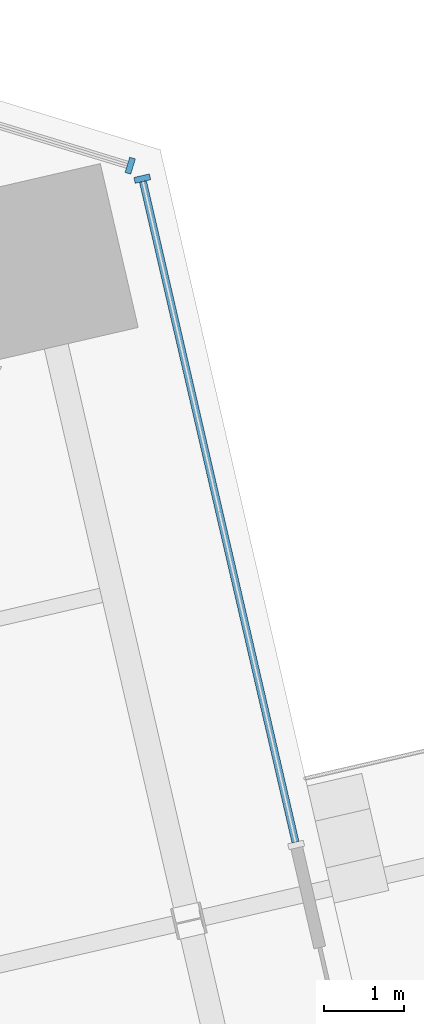
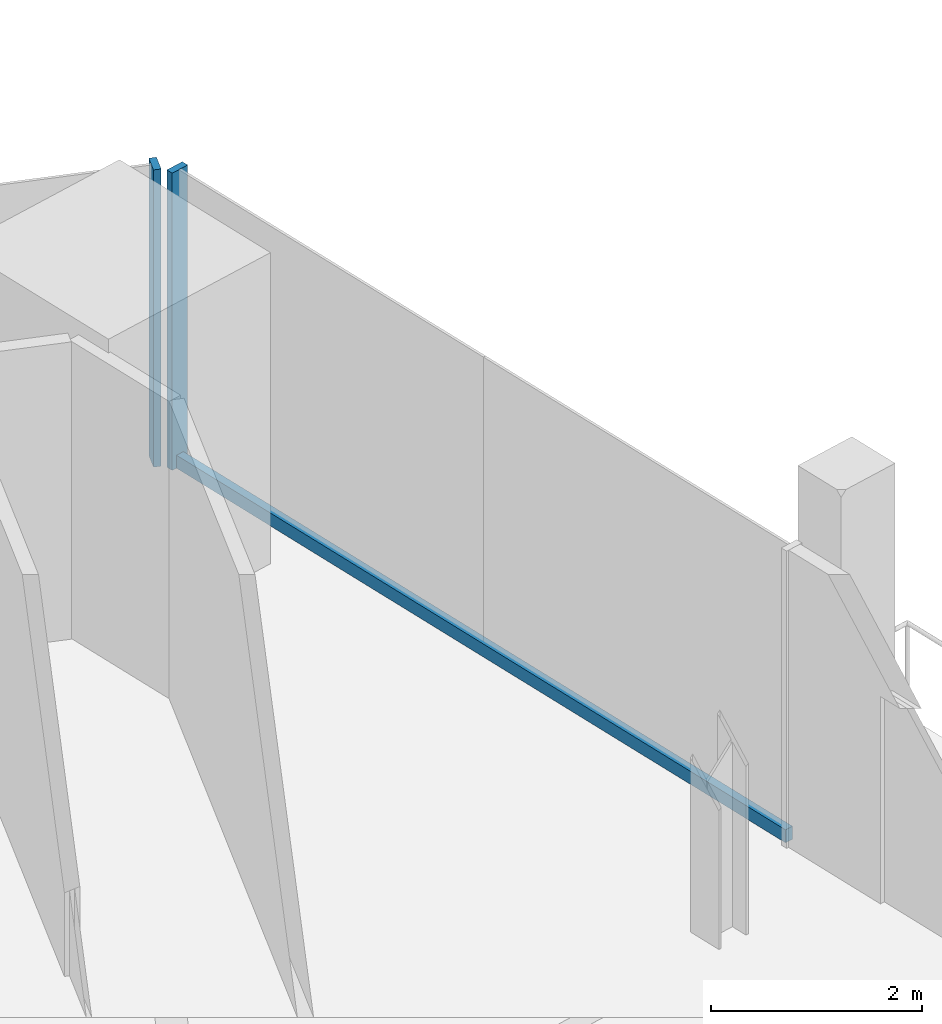
# One storey, part 9 of 21: 3 members, 2 elements without a shape of their own.
"""IFC4 building model written with IfcOpenShell, lengths in metres."""

from ifc_helpers import new_model, si_unit, direction, frame, origin, origin_2d, place, context, subcontext, project, spatial, rectangle, extrude, source, transform, mapped, material, material_profile, profile_set, type_object, element, aggregate, save


model = new_model("IFC4")

# Units and contexts
model_context = context("Model", 3, precision=1e-05, world=origin(), true_north=direction((0.0, 1.0)))
body_context = subcontext(model_context, "Body", "Model", "MODEL_VIEW")
ifc_project = project(units=[si_unit("LENGTHUNIT", "METRE"), si_unit("AREAUNIT", "SQUARE_METRE"), si_unit("VOLUMEUNIT", "CUBIC_METRE"), si_unit("PLANEANGLEUNIT", "RADIAN"), si_unit("MASSUNIT", "GRAM", prefix="KILO")], contexts=[model_context])

# Site, building, storey
site_placement = place(None, origin())
site = spatial("IfcSite", under=ifc_project, at=site_placement, CompositionType="ELEMENT")
building_placement = place(site_placement, origin())
building = spatial("IfcBuilding", under=site, at=building_placement, Name="Triune Harvest Tower", CompositionType="ELEMENT")
storey_placement = place(building_placement, frame((0.0, 0.0, 119.89990234375)))
storey = spatial("IfcBuildingStorey", under=building, at=storey_placement, Name="L30", CompositionType="ELEMENT", Elevation=119.89990234375)

# Curtain wall, member
ifc_material_1 = material(Name="Aluminium bronze anodised", Category="aluminium")
curtain_wall_type_1 = type_object("IfcCurtainWallType", Name="CW-1 Tower stick curtain wall", PredefinedType="NOTDEFINED", material=ifc_material_1)
curtain_wall_1_placement = place(storey_placement, origin())
curtain_wall_1 = element("IfcCurtainWall", 1, at=curtain_wall_1_placement, inside=storey, type_object=curtain_wall_type_1, Name="CW-1 B3-F2 L30 run 1")
ifc_material_2 = material(Name="Aluminium bronze anodised", Category="aluminium")
ifc_material_profile_1 = material_profile(ifc_material_2, rectangle(XDim=0.199951171875, YDim=0.074951171875, at=origin_2d()), Name="MU-1 mullion 75 x 200")
ifc_profile_set_1 = profile_set([ifc_material_profile_1], Name="Aluminium bronze anodised")
member_type_1 = type_object("IfcMemberType", Name="MU-1 mullion 75 x 200", PredefinedType="MULLION", material=ifc_profile_set_1)
shared_shape_1 = source(origin(), body_context, "Body", "SweptSolid", [
    extrude(rectangle(XDim=0.199951171875, YDim=0.074951171875, at=origin_2d()), origin(), (0.0, 0.0, 1.0), 3.440185546875),
])
member_1_placement = place(storey_placement, frame((15.462158203125, 30.4423828125, 0.0), z_axis=(0.0, 0.0, 1.0), x_axis=(-0.292376962095, -0.956303148607, 0.0)))
member_1 = element("IfcMember", 2, at=member_1_placement, type_object=member_type_1, Name="CW-1 mullion B3-F2 1.1", PredefinedType="MULLION", context=body_context, shape_type="MappedRepresentation", body=[
    mapped(shared_shape_1, transform((0.0, 0.0, 0.0), scale=1.0)),
])
aggregate(curtain_wall_1, [member_1])

# Curtain wall, members
ifc_material_3 = material(Name="Aluminium bronze anodised", Category="aluminium")
curtain_wall_type_2 = type_object("IfcCurtainWallType", Name="CW-6 Balcony window wall", PredefinedType="NOTDEFINED", material=ifc_material_3)
curtain_wall_2_placement = place(storey_placement, origin())
curtain_wall_2 = element("IfcCurtainWall", 3, at=curtain_wall_2_placement, inside=storey, type_object=curtain_wall_type_2, Name="CW-6 B3-F1 L30 run 2")
ifc_material_4 = material(Name="Aluminium bronze anodised", Category="aluminium")
ifc_material_profile_2 = material_profile(ifc_material_4, rectangle(XDim=0.199951171875, YDim=0.074951171875, at=origin_2d()), Name="MU-6 mullion 75 x 200")
ifc_profile_set_2 = profile_set([ifc_material_profile_2], Name="Aluminium bronze anodised")
member_type_2 = type_object("IfcMemberType", Name="MU-6 mullion 75 x 200", PredefinedType="MULLION", material=ifc_profile_set_2)
shared_shape_2 = source(origin(), body_context, "Body", "SweptSolid", [
    extrude(rectangle(XDim=0.199951171875, YDim=0.074951171875, at=origin_2d()), origin(), (0.0, 0.0, 1.0), 3.440185546875),
])
member_2_placement = place(storey_placement, frame((15.61279296875, 30.28076171875, 0.0), z_axis=(0.0, 0.0, 1.0), x_axis=(-0.974370027263, -0.22495121687, 0.0)))
member_2 = element("IfcMember", 4, at=member_2_placement, type_object=member_type_2, Name="CW-6 mullion B3-F1 2.3", PredefinedType="MULLION", context=body_context, shape_type="MappedRepresentation", body=[
    mapped(shared_shape_2, transform((0.0, 0.0, 0.0), scale=1.0)),
])
ifc_material_5 = material(Name="Aluminium bronze anodised", Category="aluminium")
ifc_material_profile_3 = material_profile(ifc_material_5, rectangle(XDim=0.090087890625, YDim=0.14990234375, at=origin_2d()), Name="TR-6 transom 90 x 150")
ifc_profile_set_3 = profile_set([ifc_material_profile_3], Name="Aluminium bronze anodised")
member_type_3 = type_object("IfcMemberType", Name="TR-6 transom 90 x 150", PredefinedType="USERDEFINED", material=ifc_profile_set_3)
shared_shape_3 = source(origin(), body_context, "Body", "SweptSolid", [
    extrude(rectangle(XDim=0.090087890625, YDim=0.14990234375, at=origin_2d()), origin(), (0.0, 0.0, 1.0), 8.466552734375),
])
member_3_placement = place(storey_placement, frame((17.525634765625, 21.99462890625, 0.0751953125), z_axis=(-0.2249500639, 0.974370293447, 0.0), x_axis=(-0.974370293447, -0.2249500639, 0.0)))
member_3 = element("IfcMember", 5, at=member_3_placement, type_object=member_type_3, Name="CW-6 transom B3-F1 2.1", ObjectType="TRANSOM", PredefinedType="USERDEFINED", context=body_context, shape_type="MappedRepresentation", body=[
    mapped(shared_shape_3, transform((0.0, 0.0, 0.0), scale=1.0)),
])
aggregate(curtain_wall_2, [member_2, member_3])

save(model, "model.ifc")
